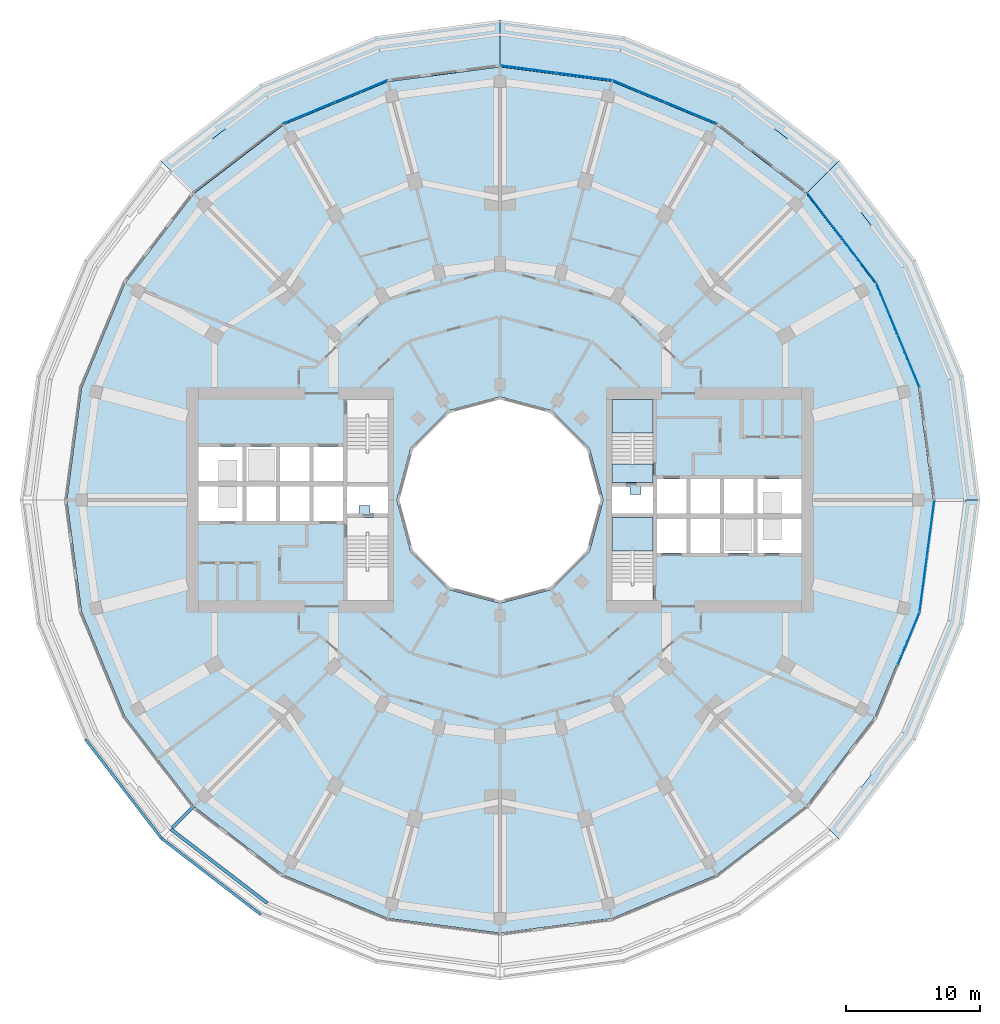
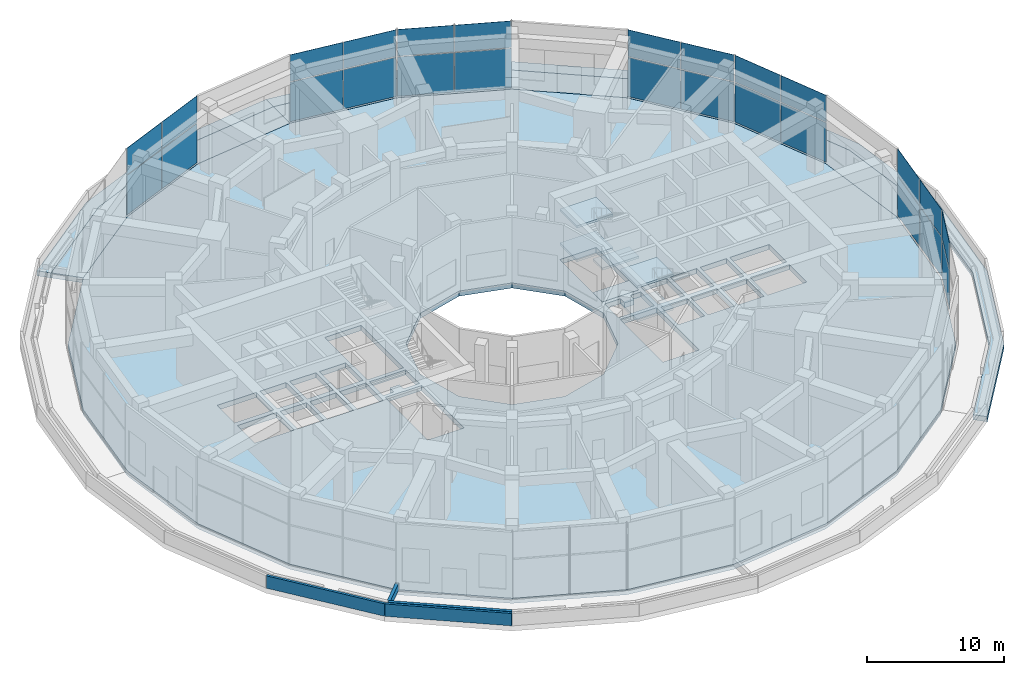
# One storey, part 14 of 23: 26 plates, 14 slabs, 4 walls, 9 elements without a shape of their own.
"""IFC4 building model written with IfcOpenShell, lengths in metres."""

import ifcopenshell
import ifcopenshell.guid

model = None  # the IFC model being written
_history = None  # IfcOwnerHistory: only IFC2X3 demands one
_inside = {}  # id of a spatial element -> (the spatial element, [elements in it])
_under = {}  # id of a project, library or spatial element -> (it, [spatial elements below it])
_declared = {}  # id of a project -> (the project, [libraries it declares])
_typed = {}  # id of a type object -> (the type object, [elements of that type])
_made_of = {}  # id of a material, layer set ... -> (it, [elements and type objects made of it])


def new_model(schema):
    """Start an empty IFC model of exactly this schema.

    Asked for "IFC4X3", IfcOpenShell would pick the latest addendum, in which some entities
    have other attributes; the version numbers below select the first issue.
    IFC2X3 requires an IfcOwnerHistory on every rooted entity: one is made here for all.
    """
    global model, _history
    if schema == "IFC4X3":
        model = ifcopenshell.file(schema_version=(4, 3, 0, 0))
    else:
        model = ifcopenshell.file(schema=schema)
    _inside.clear()
    _under.clear()
    _declared.clear()
    _typed.clear()
    _made_of.clear()
    _history = None
    if model.schema == "IFC2X3":
        org = make("IfcOrganization", Name="unknown")
        user = make(
            "IfcPersonAndOrganization",
            ThePerson=make("IfcPerson", FamilyName="unknown"),
            TheOrganization=org,
        )
        app = make(
            "IfcApplication",
            ApplicationDeveloper=org,
            Version="unknown",
            ApplicationFullName="unknown",
            ApplicationIdentifier="unknown",
        )
        _history = make(
            "IfcOwnerHistory",
            OwningUser=user,
            OwningApplication=app,
            ChangeAction="ADDED",
            CreationDate=0,
        )
    return model


def make(cls, **values):
    """One entity of the class cls with the attributes given. An attribute that is None is left unset."""
    return model.create_entity(
        cls, **{name: value for name, value in values.items() if value is not None}
    )


def rooted(cls, **values):
    """An entity with a GlobalId (a new one), such as an element, a storey or a relation."""
    return make(cls, GlobalId=ifcopenshell.guid.new(), OwnerHistory=_history, **values)


def si_unit(unit_type, name, prefix=None):
    """IfcSIUnit, for example si_unit("LENGTHUNIT", "METRE", prefix="MILLI")."""
    return make("IfcSIUnit", UnitType=unit_type, Prefix=prefix, Name=name)


def assignment(units):
    """IfcUnitAssignment: the units of a project."""
    return None if units is None else make("IfcUnitAssignment", Units=units)


def point(xyz):
    """IfcCartesianPoint."""
    return None if xyz is None else make("IfcCartesianPoint", Coordinates=xyz)


def direction(xyz):
    """IfcDirection."""
    return None if xyz is None else make("IfcDirection", DirectionRatios=xyz)


def frame(location, z_axis=None, x_axis=None):
    """IfcAxis2Placement3D, a coordinate frame: its origin and axes. An axis left out is left unset."""
    return make(
        "IfcAxis2Placement3D",
        Location=point(location),
        Axis=direction(z_axis),
        RefDirection=direction(x_axis),
    )


def frame_2d(location, x_axis=None):
    """IfcAxis2Placement2D, a coordinate frame in the plane: its origin and x axis."""
    return make(
        "IfcAxis2Placement2D", Location=point(location), RefDirection=direction(x_axis)
    )


def origin():
    """The frame at (0, 0, 0) with its axes left unset."""
    return frame((0.0, 0.0, 0.0))


def origin_2d():
    """The frame at (0, 0) in the plane with its x axis left unset."""
    return frame_2d((0.0, 0.0))


def place(relative_to, where):
    """IfcLocalPlacement: puts the frame where relative to a parent placement (None: the world)."""
    return make(
        "IfcLocalPlacement", PlacementRelTo=relative_to, RelativePlacement=where
    )


def context(
    kind, dimensions, precision=None, world=None, true_north=None, identifier=None
):
    """IfcGeometricRepresentationContext, for example the 3D "Model" context."""
    return make(
        "IfcGeometricRepresentationContext",
        ContextIdentifier=identifier,
        ContextType=kind,
        CoordinateSpaceDimension=dimensions,
        Precision=precision,
        WorldCoordinateSystem=world,
        TrueNorth=true_north,
    )


def subcontext(parent, identifier, kind, view, scale=None):
    """IfcGeometricRepresentationSubContext, for example "Body" below "Model"."""
    return make(
        "IfcGeometricRepresentationSubContext",
        ContextIdentifier=identifier,
        ContextType=kind,
        ParentContext=parent,
        TargetScale=scale,
        TargetView=view,
    )


def project(units=None, contexts=None):
    """IfcProject with its units and contexts."""
    return rooted(
        "IfcProject",
        Name="project",
        RepresentationContexts=contexts,
        UnitsInContext=assignment(units),
    )


def spatial(cls, under=None, at=None, **own):
    """A site, building, storey or space (cls), placed at a placement, below another one or the project."""
    s = rooted(cls, ObjectPlacement=at, **own)
    if under is not None:
        _under.setdefault(under.id(), (under, []))[1].append(s)
    return s


def polyline(points):
    """IfcPolyline through the points."""
    return make("IfcPolyline", Points=[point(p) for p in points])


def profile(cls, at=None, kind="AREA", **sizes):
    """A parametric profile (cls). Its sizes go by their IFC names, for example OverallWidth=200.0."""
    return make(cls, ProfileType=kind, Position=at, **sizes)


def rectangle(**sizes):
    """IfcRectangleProfileDef."""
    return profile("IfcRectangleProfileDef", **sizes)


def outline(outer, holes=None, kind="AREA"):
    """IfcArbitraryClosedProfileDef: a profile drawn as a closed curve; with holes, ...WithVoids."""
    if holes is None:
        return make("IfcArbitraryClosedProfileDef", ProfileType=kind, OuterCurve=outer)
    return make(
        "IfcArbitraryProfileDefWithVoids",
        ProfileType=kind,
        OuterCurve=outer,
        InnerCurves=holes,
    )


def extrude(swept, where, along, depth):
    """IfcExtrudedAreaSolid: the profile swept, set in the frame where, extruded along a direction by depth."""
    return make(
        "IfcExtrudedAreaSolid",
        SweptArea=swept,
        Position=where,
        ExtrudedDirection=direction(along),
        Depth=depth,
    )


def shape(context_of_items, identifier, shape_type, items):
    """IfcShapeRepresentation: the items that make up one representation, for example the "Body"."""
    return make(
        "IfcShapeRepresentation",
        ContextOfItems=context_of_items,
        RepresentationIdentifier=identifier,
        RepresentationType=shape_type,
        Items=items,
    )


def material(Name=None, Category=None):
    """IfcMaterial."""
    return make("IfcMaterial", Name=Name, Category=Category)


def layer(
    of_material, thickness, ventilated=None, Name=None, Category=None, Priority=None
):
    """IfcMaterialLayer: one layer of a wall or slab, of a material (None: an air gap)."""
    return make(
        "IfcMaterialLayer",
        Material=of_material,
        LayerThickness=thickness,
        IsVentilated=ventilated,
        Name=Name,
        Category=Category,
        Priority=Priority,
    )


def layer_set(layers, Name=None):
    """IfcMaterialLayerSet."""
    return make("IfcMaterialLayerSet", MaterialLayers=layers, LayerSetName=Name)


def made_of(thing, what):
    """Note that an element or type object is made of a material, layer set ...; save() writes the relation."""
    if what is not None:
        _made_of.setdefault(what.id(), (what, []))[1].append(thing)
    return thing


def type_object(cls, material=None, **own):
    """A type object (cls), such as IfcWallType, which elements share."""
    return made_of(rooted(cls, **own), material)


def element(
    cls,
    number,
    at=None,
    inside=None,
    cuts=None,
    type_object=None,
    material=None,
    context=None,
    identifier="Body",
    shape_type=None,
    held_by="IfcProductDefinitionShape",
    body=None,
    shapes=None,
    **own,
):
    """One element of the class cls, such as IfcWall. Its Tag is "e" and its number.

    at: its placement. inside: the storey or other place that contains it. cuts: it is an
    opening in that element (IfcRelVoidsElement). A single representation is given by context,
    identifier, shape_type and body (its items); several are given by shapes. held_by: the class
    of the entity that holds the representations. save() writes the other relations.
    """
    e = rooted(cls, Tag="e%d" % number, ObjectPlacement=at, **own)
    if body is not None:
        shapes = [shape(context, identifier, shape_type, body)]
    if shapes is not None:
        e.Representation = make(held_by, Representations=shapes)
    if inside is not None:
        _inside.setdefault(inside.id(), (inside, []))[1].append(e)
    if cuts is not None:
        rooted(
            "IfcRelVoidsElement", RelatingBuildingElement=cuts, RelatedOpeningElement=e
        )
    if type_object is not None:
        _typed.setdefault(type_object.id(), (type_object, []))[1].append(e)
    return made_of(e, material)


def aggregate(whole, parts):
    """IfcRelAggregates: a whole, such as a stair, and the parts it consists of."""
    return rooted("IfcRelAggregates", RelatingObject=whole, RelatedObjects=parts)


def save(model, path):
    """Write the relations noted so far, then the file.

    IfcRelAggregates (storeys below a building ...), IfcRelContainedInSpatialStructure (elements
    in a storey), IfcRelDefinesByType, IfcRelAssociatesMaterial and IfcRelDeclares: one each for
    every whole, place, type object, material and project.
    """
    for whole, parts in _under.values():
        aggregate(whole, parts)
    for where, things in _inside.values():
        rooted(
            "IfcRelContainedInSpatialStructure",
            RelatedElements=things,
            RelatingStructure=where,
        )
    for kind, things in _typed.values():
        rooted("IfcRelDefinesByType", RelatedObjects=things, RelatingType=kind)
    for what, things in _made_of.values():
        rooted("IfcRelAssociatesMaterial", RelatedObjects=things, RelatingMaterial=what)
    for by, libraries in _declared.values():
        rooted("IfcRelDeclares", RelatingContext=by, RelatedDefinitions=libraries)
    model.write(path)


model = new_model("IFC4")

# Units and contexts
model_context = context("Model", 3, precision=1e-05, world=origin(), true_north=direction((0.0, 1.0)))
body_context = subcontext(model_context, "Body", "Model", "MODEL_VIEW")
ifc_project = project(units=[si_unit("LENGTHUNIT", "METRE"), si_unit("AREAUNIT", "SQUARE_METRE"), si_unit("VOLUMEUNIT", "CUBIC_METRE"), si_unit("PLANEANGLEUNIT", "RADIAN"), si_unit("MASSUNIT", "GRAM", prefix="KILO")], contexts=[model_context])

# Site, building, storey
site_placement = place(None, origin())
site = spatial("IfcSite", under=ifc_project, at=site_placement, CompositionType="ELEMENT")
building_placement = place(site_placement, origin())
building = spatial("IfcBuilding", under=site, at=building_placement, Name="Torre Brocal", CompositionType="ELEMENT")
storey_placement = place(building_placement, frame((0.0, 0.0, 17.800048828125)))
storey = spatial("IfcBuildingStorey", under=building, at=storey_placement, Name="L03", CompositionType="ELEMENT", Elevation=17.800048828125)

# Curtain wall, plates
ifc_material_1 = material(Name="Aluminium and glass", Category="aluminium")
ifc_layer_1 = layer(ifc_material_1, 0.199951171875)
ifc_layer_set_1 = layer_set([ifc_layer_1], Name="Aluminium and glass")
curtain_wall_type = type_object("IfcCurtainWallType", Name="CW-6 CURTAIN WALL 6000 HIGH", PredefinedType="NOTDEFINED", material=ifc_layer_set_1)
curtain_wall_1_placement = place(storey_placement, origin())
curtain_wall_1 = element("IfcCurtainWall", 1, at=curtain_wall_1_placement, inside=storey, type_object=curtain_wall_type, Name="CW-6 RUN 2", PredefinedType="NOTDEFINED")
ifc_material_2 = material(Name="Glass, dark tinted laminated", Category="glass")
ifc_layer_2 = layer(ifc_material_2, 0.028076171875)
ifc_layer_set_2 = layer_set([ifc_layer_2], Name="Glass, dark tinted laminated")
plate_type = type_object("IfcPlateType", Name="CW-6 GLASS PANEL 28", PredefinedType="CURTAIN_PANEL", material=ifc_layer_set_2)
plate_1_placement = place(storey_placement, frame((110.481201171875, 85.3505859375, 0.06982421875), z_axis=(0.0, 0.0, 1.0), x_axis=(-0.382683432301, 0.923879532538, 0.0)))
plate_1 = element("IfcPlate", 2, at=plate_1_placement, type_object=plate_type, Name="CW6-2 panel 1.1", PredefinedType="CURTAIN_PANEL", context=body_context, shape_type="SweptSolid", body=[
    extrude(rectangle(XDim=4.154052734375, YDim=0.028076171875, at=origin_2d()), origin(), (0.0, 0.0, 1.0), 3.4951171875),
])
plate_2_placement = place(storey_placement, frame((110.481201171875, 85.3505859375, 3.634765625), z_axis=(0.0, 0.0, 1.0), x_axis=(-0.382683432301, 0.923879532538, 0.0)))
plate_2 = element("IfcPlate", 3, at=plate_2_placement, type_object=plate_type, Name="CW6-2 panel 1.2", PredefinedType="CURTAIN_PANEL", context=body_context, shape_type="SweptSolid", body=[
    extrude(rectangle(XDim=4.154052734375, YDim=0.028076171875, at=origin_2d()), origin(), (0.0, 0.0, 1.0), 2.364990234375),
])
plate_3_placement = place(storey_placement, frame((108.872314453125, 89.234619140625, 0.06982421875), z_axis=(0.0, 0.0, 1.0), x_axis=(-0.382683432301, 0.923879532538, 0.0)))
plate_3 = element("IfcPlate", 4, at=plate_3_placement, type_object=plate_type, Name="CW6-2 panel 2.1", PredefinedType="CURTAIN_PANEL", context=body_context, shape_type="SweptSolid", body=[
    extrude(rectangle(XDim=4.154052734375, YDim=0.028076171875, at=origin_2d()), origin(), (0.0, 0.0, 1.0), 3.4951171875),
])
plate_4_placement = place(storey_placement, frame((108.872314453125, 89.234619140625, 3.634765625), z_axis=(0.0, 0.0, 1.0), x_axis=(-0.382683432301, 0.923879532538, 0.0)))
plate_4 = element("IfcPlate", 5, at=plate_4_placement, type_object=plate_type, Name="CW6-2 panel 2.2", PredefinedType="CURTAIN_PANEL", context=body_context, shape_type="SweptSolid", body=[
    extrude(rectangle(XDim=4.154052734375, YDim=0.028076171875, at=origin_2d()), origin(), (0.0, 0.0, 1.0), 2.364990234375),
])
aggregate(curtain_wall_1, [plate_1, plate_2, plate_3, plate_4])

curtain_wall_2_placement = place(storey_placement, origin())
curtain_wall_2 = element("IfcCurtainWall", 6, at=curtain_wall_2_placement, inside=storey, type_object=curtain_wall_type, Name="CW-6 RUN 3", PredefinedType="NOTDEFINED")
plate_5_placement = place(storey_placement, frame((106.763671875, 92.886962890625, 0.06982421875), z_axis=(0.0, 0.0, 1.0), x_axis=(-0.608761429009, 0.793353340291, 0.0)))
plate_5 = element("IfcPlate", 7, at=plate_5_placement, type_object=plate_type, Name="CW6-2 panel 1.1", PredefinedType="CURTAIN_PANEL", context=body_context, shape_type="SweptSolid", body=[
    extrude(rectangle(XDim=4.154052734375, YDim=0.028076171875, at=origin_2d()), origin(), (0.0, 0.0, 1.0), 3.4951171875),
])
plate_6_placement = place(storey_placement, frame((106.763671875, 92.886962890625, 3.634765625), z_axis=(0.0, 0.0, 1.0), x_axis=(-0.608761429009, 0.793353340291, 0.0)))
plate_6 = element("IfcPlate", 8, at=plate_6_placement, type_object=plate_type, Name="CW6-2 panel 1.2", PredefinedType="CURTAIN_PANEL", context=body_context, shape_type="SweptSolid", body=[
    extrude(rectangle(XDim=4.154052734375, YDim=0.028076171875, at=origin_2d()), origin(), (0.0, 0.0, 1.0), 2.364990234375),
])
plate_7_placement = place(storey_placement, frame((104.204345703125, 96.22216796875, 0.06982421875), z_axis=(0.0, 0.0, 1.0), x_axis=(-0.608761429009, 0.793353340291, 0.0)))
plate_7 = element("IfcPlate", 9, at=plate_7_placement, type_object=plate_type, Name="CW6-2 panel 2.1", PredefinedType="CURTAIN_PANEL", context=body_context, shape_type="SweptSolid", body=[
    extrude(rectangle(XDim=4.154052734375, YDim=0.028076171875, at=origin_2d()), origin(), (0.0, 0.0, 1.0), 3.4951171875),
])
plate_8_placement = place(storey_placement, frame((104.204345703125, 96.22216796875, 3.634765625), z_axis=(0.0, 0.0, 1.0), x_axis=(-0.608761429009, 0.793353340291, 0.0)))
plate_8 = element("IfcPlate", 10, at=plate_8_placement, type_object=plate_type, Name="CW6-2 panel 2.2", PredefinedType="CURTAIN_PANEL", context=body_context, shape_type="SweptSolid", body=[
    extrude(rectangle(XDim=4.154052734375, YDim=0.028076171875, at=origin_2d()), origin(), (0.0, 0.0, 1.0), 2.364990234375),
])
aggregate(curtain_wall_2, [plate_5, plate_6, plate_7, plate_8])

curtain_wall_3_placement = place(storey_placement, origin())
curtain_wall_3 = element("IfcCurtainWall", 11, at=curtain_wall_3_placement, inside=storey, type_object=curtain_wall_type, Name="CW-6 RUN 5", PredefinedType="NOTDEFINED")
plate_9_placement = place(storey_placement, frame((94.234619140625, 103.872314453125, 0.06982421875), z_axis=(0.0, 0.0, 1.0), x_axis=(-0.923879532538, 0.382683432301, 0.0)))
plate_9 = element("IfcPlate", 12, at=plate_9_placement, type_object=plate_type, Name="CW6-2 panel 1.1", PredefinedType="CURTAIN_PANEL", context=body_context, shape_type="SweptSolid", body=[
    extrude(rectangle(XDim=4.154052734375, YDim=0.028076171875, at=origin_2d()), origin(), (0.0, 0.0, 1.0), 3.4951171875),
])
plate_10_placement = place(storey_placement, frame((94.234619140625, 103.872314453125, 3.634765625), z_axis=(0.0, 0.0, 1.0), x_axis=(-0.923879532538, 0.382683432301, 0.0)))
plate_10 = element("IfcPlate", 13, at=plate_10_placement, type_object=plate_type, Name="CW6-2 panel 1.2", PredefinedType="CURTAIN_PANEL", context=body_context, shape_type="SweptSolid", body=[
    extrude(rectangle(XDim=4.154052734375, YDim=0.028076171875, at=origin_2d()), origin(), (0.0, 0.0, 1.0), 2.364990234375),
])
plate_11_placement = place(storey_placement, frame((90.3505859375, 105.481201171875, 0.06982421875), z_axis=(0.0, 0.0, 1.0), x_axis=(-0.923879532538, 0.382683432301, 0.0)))
plate_11 = element("IfcPlate", 14, at=plate_11_placement, type_object=plate_type, Name="CW6-2 panel 2.1", PredefinedType="CURTAIN_PANEL", context=body_context, shape_type="SweptSolid", body=[
    extrude(rectangle(XDim=4.154052734375, YDim=0.028076171875, at=origin_2d()), origin(), (0.0, 0.0, 1.0), 3.4951171875),
])
plate_12_placement = place(storey_placement, frame((90.3505859375, 105.481201171875, 3.634765625), z_axis=(0.0, 0.0, 1.0), x_axis=(-0.923879532538, 0.382683432301, 0.0)))
plate_12 = element("IfcPlate", 15, at=plate_12_placement, type_object=plate_type, Name="CW6-2 panel 2.2", PredefinedType="CURTAIN_PANEL", context=body_context, shape_type="SweptSolid", body=[
    extrude(rectangle(XDim=4.154052734375, YDim=0.028076171875, at=origin_2d()), origin(), (0.0, 0.0, 1.0), 2.364990234375),
])
aggregate(curtain_wall_3, [plate_9, plate_10, plate_11, plate_12])

curtain_wall_4_placement = place(storey_placement, origin())
curtain_wall_4 = element("IfcCurtainWall", 16, at=curtain_wall_4_placement, inside=storey, type_object=curtain_wall_type, Name="CW-6 RUN 6", PredefinedType="NOTDEFINED")
plate_13_placement = place(storey_placement, frame((86.27685546875, 106.57275390625, 0.06982421875), z_axis=(0.0, 0.0, 1.0), x_axis=(-0.991444861369, 0.130526192255, 0.0)))
plate_13 = element("IfcPlate", 17, at=plate_13_placement, type_object=plate_type, Name="CW6-2 panel 1.1", PredefinedType="CURTAIN_PANEL", context=body_context, shape_type="SweptSolid", body=[
    extrude(rectangle(XDim=4.154052734375, YDim=0.028076171875, at=origin_2d()), origin(), (0.0, 0.0, 1.0), 3.4951171875),
])
plate_14_placement = place(storey_placement, frame((86.27685546875, 106.57275390625, 3.634765625), z_axis=(0.0, 0.0, 1.0), x_axis=(-0.991444861369, 0.130526192255, 0.0)))
plate_14 = element("IfcPlate", 18, at=plate_14_placement, type_object=plate_type, Name="CW6-2 panel 1.2", PredefinedType="CURTAIN_PANEL", context=body_context, shape_type="SweptSolid", body=[
    extrude(rectangle(XDim=4.154052734375, YDim=0.028076171875, at=origin_2d()), origin(), (0.0, 0.0, 1.0), 2.364990234375),
])
plate_15_placement = place(storey_placement, frame((82.10888671875, 107.12158203125, 0.06982421875), z_axis=(0.0, 0.0, 1.0), x_axis=(-0.991444861369, 0.130526192255, 0.0)))
plate_15 = element("IfcPlate", 19, at=plate_15_placement, type_object=plate_type, Name="CW6-2 panel 2.1", PredefinedType="CURTAIN_PANEL", context=body_context, shape_type="SweptSolid", body=[
    extrude(rectangle(XDim=4.154052734375, YDim=0.028076171875, at=origin_2d()), origin(), (0.0, 0.0, 1.0), 3.4951171875),
])
plate_16_placement = place(storey_placement, frame((82.10888671875, 107.12158203125, 3.634765625), z_axis=(0.0, 0.0, 1.0), x_axis=(-0.991444861369, 0.130526192255, 0.0)))
plate_16 = element("IfcPlate", 20, at=plate_16_placement, type_object=plate_type, Name="CW6-2 panel 2.2", PredefinedType="CURTAIN_PANEL", context=body_context, shape_type="SweptSolid", body=[
    extrude(rectangle(XDim=4.154052734375, YDim=0.028076171875, at=origin_2d()), origin(), (0.0, 0.0, 1.0), 2.364990234375),
])
aggregate(curtain_wall_4, [plate_13, plate_14, plate_15, plate_16])

curtain_wall_5_placement = place(storey_placement, origin())
curtain_wall_5 = element("IfcCurtainWall", 21, at=curtain_wall_5_placement, inside=storey, type_object=curtain_wall_type, Name="CW-6 RUN 8", PredefinedType="NOTDEFINED")
plate_17_placement = place(storey_placement, frame((69.6494140625, 105.481201171875, 0.06982421875), z_axis=(0.0, 0.0, 1.0), x_axis=(-0.923879532538, -0.382683432301, 0.0)))
plate_17 = element("IfcPlate", 22, at=plate_17_placement, type_object=plate_type, Name="CW6-2 panel 1.1", PredefinedType="CURTAIN_PANEL", context=body_context, shape_type="SweptSolid", body=[
    extrude(rectangle(XDim=4.154052734375, YDim=0.028076171875, at=origin_2d()), origin(), (0.0, 0.0, 1.0), 3.4951171875),
])
plate_18_placement = place(storey_placement, frame((69.6494140625, 105.481201171875, 3.634765625), z_axis=(0.0, 0.0, 1.0), x_axis=(-0.923879532538, -0.382683432301, 0.0)))
plate_18 = element("IfcPlate", 23, at=plate_18_placement, type_object=plate_type, Name="CW6-2 panel 1.2", PredefinedType="CURTAIN_PANEL", context=body_context, shape_type="SweptSolid", body=[
    extrude(rectangle(XDim=4.154052734375, YDim=0.028076171875, at=origin_2d()), origin(), (0.0, 0.0, 1.0), 2.364990234375),
])
plate_19_placement = place(storey_placement, frame((65.765380859375, 103.872314453125, 0.06982421875), z_axis=(0.0, 0.0, 1.0), x_axis=(-0.923879532538, -0.382683432301, 0.0)))
plate_19 = element("IfcPlate", 24, at=plate_19_placement, type_object=plate_type, Name="CW6-2 panel 2.1", PredefinedType="CURTAIN_PANEL", context=body_context, shape_type="SweptSolid", body=[
    extrude(rectangle(XDim=4.154052734375, YDim=0.028076171875, at=origin_2d()), origin(), (0.0, 0.0, 1.0), 3.4951171875),
])
plate_20_placement = place(storey_placement, frame((65.765380859375, 103.872314453125, 3.634765625), z_axis=(0.0, 0.0, 1.0), x_axis=(-0.923879532538, -0.382683432301, 0.0)))
plate_20 = element("IfcPlate", 25, at=plate_20_placement, type_object=plate_type, Name="CW6-2 panel 2.2", PredefinedType="CURTAIN_PANEL", context=body_context, shape_type="SweptSolid", body=[
    extrude(rectangle(XDim=4.154052734375, YDim=0.028076171875, at=origin_2d()), origin(), (0.0, 0.0, 1.0), 2.364990234375),
])
aggregate(curtain_wall_5, [plate_17, plate_18, plate_19, plate_20])

curtain_wall_6_placement = place(storey_placement, origin())
curtain_wall_6 = element("IfcCurtainWall", 26, at=curtain_wall_6_placement, inside=storey, type_object=curtain_wall_type, Name="CW-6 RUN 23", PredefinedType="NOTDEFINED")
plate_21_placement = place(storey_placement, frame((110.481201171875, 64.6494140625, 0.06982421875), z_axis=(0.0, 0.0, 1.0), x_axis=(0.382683432301, 0.923879532538, 0.0)))
plate_21 = element("IfcPlate", 27, at=plate_21_placement, type_object=plate_type, Name="CW6-2 panel 2.1", PredefinedType="CURTAIN_PANEL", context=body_context, shape_type="SweptSolid", body=[
    extrude(rectangle(XDim=4.154052734375, YDim=0.028076171875, at=origin_2d()), origin(), (0.0, 0.0, 1.0), 3.4951171875),
])
plate_22_placement = place(storey_placement, frame((110.481201171875, 64.6494140625, 3.634765625), z_axis=(0.0, 0.0, 1.0), x_axis=(0.382683432301, 0.923879532538, 0.0)))
plate_22 = element("IfcPlate", 28, at=plate_22_placement, type_object=plate_type, Name="CW6-2 panel 2.2", PredefinedType="CURTAIN_PANEL", context=body_context, shape_type="SweptSolid", body=[
    extrude(rectangle(XDim=4.154052734375, YDim=0.028076171875, at=origin_2d()), origin(), (0.0, 0.0, 1.0), 2.364990234375),
])
aggregate(curtain_wall_6, [plate_21, plate_22])

curtain_wall_7_placement = place(storey_placement, origin())
curtain_wall_7 = element("IfcCurtainWall", 29, at=curtain_wall_7_placement, inside=storey, type_object=curtain_wall_type, Name="CW-6 RUN 24", PredefinedType="NOTDEFINED")
plate_23_placement = place(storey_placement, frame((111.57275390625, 68.72314453125, 0.06982421875), z_axis=(0.0, 0.0, 1.0), x_axis=(0.130526192255, 0.991444861369, 0.0)))
plate_23 = element("IfcPlate", 30, at=plate_23_placement, type_object=plate_type, Name="CW6-2 panel 1.1", PredefinedType="CURTAIN_PANEL", context=body_context, shape_type="SweptSolid", body=[
    extrude(rectangle(XDim=4.154052734375, YDim=0.028076171875, at=origin_2d()), origin(), (0.0, 0.0, 1.0), 3.4951171875),
])
plate_24_placement = place(storey_placement, frame((111.57275390625, 68.72314453125, 3.634765625), z_axis=(0.0, 0.0, 1.0), x_axis=(0.130526192255, 0.991444861369, 0.0)))
plate_24 = element("IfcPlate", 31, at=plate_24_placement, type_object=plate_type, Name="CW6-2 panel 1.2", PredefinedType="CURTAIN_PANEL", context=body_context, shape_type="SweptSolid", body=[
    extrude(rectangle(XDim=4.154052734375, YDim=0.028076171875, at=origin_2d()), origin(), (0.0, 0.0, 1.0), 2.364990234375),
])
plate_25_placement = place(storey_placement, frame((112.12158203125, 72.89111328125, 0.06982421875), z_axis=(0.0, 0.0, 1.0), x_axis=(0.130526192255, 0.991444861369, 0.0)))
plate_25 = element("IfcPlate", 32, at=plate_25_placement, type_object=plate_type, Name="CW6-2 panel 2.1", PredefinedType="CURTAIN_PANEL", context=body_context, shape_type="SweptSolid", body=[
    extrude(rectangle(XDim=4.154052734375, YDim=0.028076171875, at=origin_2d()), origin(), (0.0, 0.0, 1.0), 3.4951171875),
])
plate_26_placement = place(storey_placement, frame((112.12158203125, 72.89111328125, 3.634765625), z_axis=(0.0, 0.0, 1.0), x_axis=(0.130526192255, 0.991444861369, 0.0)))
plate_26 = element("IfcPlate", 33, at=plate_26_placement, type_object=plate_type, Name="CW6-2 panel 2.2", PredefinedType="CURTAIN_PANEL", context=body_context, shape_type="SweptSolid", body=[
    extrude(rectangle(XDim=4.154052734375, YDim=0.028076171875, at=origin_2d()), origin(), (0.0, 0.0, 1.0), 2.364990234375),
])
aggregate(curtain_wall_7, [plate_23, plate_24, plate_25, plate_26])

# Stair, slab
ifc_material_3 = material(Name="Concrete C50", Category="concrete")
stair_type = type_object("IfcStairType", Name="EXIT STAIR", PredefinedType="HALF_TURN_STAIR", material=ifc_material_3)
stair_1_placement = place(storey_placement, origin())
stair_1 = element("IfcStair", 34, at=stair_1_placement, inside=storey, type_object=stair_type, Name="EXIT STAIR ST1", PredefinedType="HALF_TURN_STAIR")
ifc_material_4 = material(Name="Concrete C50", Category="concrete")
ifc_layer_3 = layer(ifc_material_4, 0.449951171875)
ifc_layer_set_3 = layer_set([ifc_layer_3], Name="Concrete C50")
slab_type_1 = type_object("IfcSlabType", Name="FLOOR LANDING 450", PredefinedType="LANDING", material=ifc_layer_set_3)
slab_1_placement = place(storey_placement, frame((0.0, 0.0, -0.449951171875)))
slab_1 = element("IfcSlab", 35, at=slab_1_placement, type_object=slab_type_1, Name="ST1 landing 1", PredefinedType="LANDING", context=body_context, shape_type="SweptSolid", body=[
    extrude(outline(polyline([(88.35009765625, 76.300048828125), (91.39990234375, 76.300048828125), (91.39990234375, 77.699951171875), (88.35009765625, 77.699951171875), (88.35009765625, 76.300048828125)])), origin(), (0.0, 0.0, 1.0), 0.449951171875),
])

# Slabs
ifc_material_5 = material(Name="Concrete C45", Category="concrete")
ifc_layer_4 = layer(ifc_material_5, 0.449951171875)
ifc_layer_set_4 = layer_set([ifc_layer_4], Name="Concrete C45")
slab_type_2 = type_object("IfcSlabType", Name="GREEN ROOF PLANTING BED SLAB 450 C45", PredefinedType="ROOF", material=ifc_layer_set_4)
slab_2_placement = place(storey_placement, frame((0.0, 0.0, -0.449951171875)))
element("IfcSlab", 36, at=slab_2_placement, inside=storey, type_object=slab_type_2, Name="Slab ST-04", PredefinedType="ROOF", context=body_context, shape_type="SweptSolid", body=[
    extrude(outline(polyline([(115.79833984375, 75.0), (114.718994140625, 75.0), (113.535888671875, 83.98583984375), (110.067626953125, 92.359375), (104.550048828125, 99.550048828125), (105.313232421875, 100.313232421875), (111.002197265625, 92.899169921875), (114.578369140625, 84.265380859375), (115.79833984375, 75.0)])), origin(), (0.0, 0.0, 1.0), 0.449951171875),
])
slab_3_placement = place(storey_placement, frame((0.0, 0.0, -0.449951171875)))
element("IfcSlab", 37, at=slab_3_placement, inside=storey, type_object=slab_type_2, Name="Slab ST-04", PredefinedType="ROOF", context=body_context, shape_type="SweptSolid", body=[
    extrude(outline(polyline([(105.313232421875, 100.313232421875), (104.550048828125, 99.550048828125), (97.359375, 105.067626953125), (88.98583984375, 108.535888671875), (80.0, 109.718994140625), (80.0, 110.79833984375), (89.265380859375, 109.578369140625), (97.899169921875, 106.002197265625), (105.313232421875, 100.313232421875)])), origin(), (0.0, 0.0, 1.0), 0.449951171875),
])
slab_4_placement = place(storey_placement, frame((0.0, 0.0, -0.449951171875)))
element("IfcSlab", 38, at=slab_4_placement, inside=storey, type_object=slab_type_2, Name="Slab ST-04", PredefinedType="ROOF", context=body_context, shape_type="SweptSolid", body=[
    extrude(outline(polyline([(80.0, 110.79833984375), (80.0, 109.718994140625), (71.01416015625, 108.535888671875), (62.640625, 105.067626953125), (55.449951171875, 99.550048828125), (54.686767578125, 100.313232421875), (62.100830078125, 106.002197265625), (70.734619140625, 109.578369140625), (80.0, 110.79833984375)])), origin(), (0.0, 0.0, 1.0), 0.449951171875),
])
slab_5_placement = place(storey_placement, frame((0.0, 0.0, -0.449951171875)))
element("IfcSlab", 39, at=slab_5_placement, inside=storey, type_object=slab_type_2, Name="Slab ST-04", PredefinedType="ROOF", context=body_context, shape_type="SweptSolid", body=[
    extrude(outline(polyline([(110.067626953125, 57.640625), (113.535888671875, 66.01416015625), (114.718994140625, 75.0), (115.79833984375, 75.0), (114.578369140625, 65.734619140625), (111.002197265625, 57.100830078125), (105.313232421875, 49.686767578125), (104.550048828125, 50.449951171875), (110.067626953125, 57.640625)])), origin(), (0.0, 0.0, 1.0), 0.449951171875),
])

# Slab
ifc_material_6 = material(Name="Concrete C50", Category="concrete")
ifc_layer_5 = layer(ifc_material_6, 0.199951171875)
ifc_layer_set_5 = layer_set([ifc_layer_5], Name="Concrete C50")
slab_type_3 = type_object("IfcSlabType", Name="MID LANDING +1500", PredefinedType="LANDING", material=ifc_layer_set_5)
slab_6_placement = place(storey_placement, frame((0.0, 0.0, 1.300048828125)))
slab_6 = element("IfcSlab", 40, at=slab_6_placement, type_object=slab_type_3, Name="ST1 landing 2", PredefinedType="LANDING", context=body_context, shape_type="SweptSolid", body=[
    extrude(outline(polyline([(88.35009765625, 80.011962890625), (91.39990234375, 80.011962890625), (91.39990234375, 82.5), (88.35009765625, 82.5), (88.35009765625, 80.011962890625)])), origin(), (0.0, 0.0, 1.0), 0.199951171875),
])

# Stair, slab
stair_2_placement = place(storey_placement, origin())
stair_2 = element("IfcStair", 41, at=stair_2_placement, inside=storey, type_object=stair_type, Name="EXIT STAIR ST2", PredefinedType="HALF_TURN_STAIR")
slab_7_placement = place(storey_placement, frame((0.0, 0.0, 1.300048828125)))
slab_7 = element("IfcSlab", 42, at=slab_7_placement, type_object=slab_type_3, Name="ST2 landing 2", PredefinedType="LANDING", context=body_context, shape_type="SweptSolid", body=[
    extrude(outline(polyline([(88.35009765625, 71.2119140625), (91.39990234375, 71.2119140625), (91.39990234375, 73.699951171875), (88.35009765625, 73.699951171875), (88.35009765625, 71.2119140625)])), origin(), (0.0, 0.0, 1.0), 0.199951171875),
])

# Slab
ifc_material_7 = material(Name="Concrete C50", Category="concrete")
ifc_layer_6 = layer(ifc_material_7, 0.199951171875)
ifc_layer_set_6 = layer_set([ifc_layer_6], Name="Concrete C50")
slab_type_4 = type_object("IfcSlabType", Name="MID LANDING +3000", PredefinedType="LANDING", material=ifc_layer_set_6)
slab_8_placement = place(storey_placement, frame((0.0, 0.0, 2.800048828125)))
slab_8 = element("IfcSlab", 43, at=slab_8_placement, type_object=slab_type_4, Name="ST1 landing 3", PredefinedType="LANDING", context=body_context, shape_type="SweptSolid", body=[
    extrude(outline(polyline([(88.35009765625, 76.300048828125), (91.39990234375, 76.300048828125), (91.39990234375, 77.699951171875), (88.35009765625, 77.699951171875), (88.35009765625, 76.300048828125)])), origin(), (0.0, 0.0, 1.0), 0.199951171875),
])

ifc_material_8 = material(Name="Concrete C50", Category="concrete")
ifc_layer_7 = layer(ifc_material_8, 0.199951171875)
ifc_layer_set_7 = layer_set([ifc_layer_7], Name="Concrete C50")
slab_type_5 = type_object("IfcSlabType", Name="MID LANDING +4500", PredefinedType="LANDING", material=ifc_layer_set_7)
slab_9_placement = place(storey_placement, frame((0.0, 0.0, 4.300048828125)))
slab_9 = element("IfcSlab", 44, at=slab_9_placement, type_object=slab_type_5, Name="ST1 landing 4", PredefinedType="LANDING", context=body_context, shape_type="SweptSolid", body=[
    extrude(outline(polyline([(88.35009765625, 80.011962890625), (91.39990234375, 80.011962890625), (91.39990234375, 82.5), (88.35009765625, 82.5), (88.35009765625, 80.011962890625)])), origin(), (0.0, 0.0, 1.0), 0.199951171875),
])

aggregate(stair_1, [slab_1, slab_6, slab_8, slab_9])

slab_10_placement = place(storey_placement, frame((0.0, 0.0, 4.300048828125)))
slab_10 = element("IfcSlab", 45, at=slab_10_placement, type_object=slab_type_5, Name="ST2 landing 4", PredefinedType="LANDING", context=body_context, shape_type="SweptSolid", body=[
    extrude(outline(polyline([(88.35009765625, 71.2119140625), (91.39990234375, 71.2119140625), (91.39990234375, 73.699951171875), (88.35009765625, 73.699951171875), (88.35009765625, 71.2119140625)])), origin(), (0.0, 0.0, 1.0), 0.199951171875),
])

aggregate(stair_2, [slab_7, slab_10])

# Slabs
ifc_material_9 = material(Name="Concrete C45", Category="concrete")
ifc_layer_8 = layer(ifc_material_9, 0.449951171875)
ifc_layer_set_8 = layer_set([ifc_layer_8], Name="Concrete C45")
slab_type_6 = type_object("IfcSlabType", Name="PT PODIUM SLAB 450 C45", PredefinedType="FLOOR", material=ifc_layer_set_8)
slab_11_placement = place(storey_placement, frame((0.0, 0.0, -0.449951171875)))
element("IfcSlab", 46, at=slab_11_placement, inside=storey, type_object=slab_type_6, Name="Slab ST-01", PredefinedType="FLOOR", context=body_context, shape_type="SweptSolid", body=[
    extrude(outline(polyline([(102.83837890625, 52.16162109375), (96.149169921875, 47.02880859375), (88.359375, 43.80224609375), (80.0, 42.70166015625), (71.640625, 43.80224609375), (63.850830078125, 47.02880859375), (57.16162109375, 52.16162109375), (52.02880859375, 58.850830078125), (48.80224609375, 66.640625), (47.70166015625, 75.0), (48.80224609375, 83.359375), (52.02880859375, 91.149169921875), (57.16162109375, 97.83837890625), (63.850830078125, 102.97119140625), (71.640625, 106.19775390625), (80.0, 107.29833984375), (88.359375, 106.19775390625), (96.149169921875, 102.97119140625), (102.83837890625, 97.83837890625), (107.97119140625, 91.149169921875), (111.19775390625, 83.359375), (112.29833984375, 75.0), (111.19775390625, 66.640625), (107.97119140625, 58.850830078125), (102.83837890625, 52.16162109375)]), holes=[polyline([(102.5, 74.0), (102.5, 76.550048828125), (99.199951171875, 76.550048828125), (99.199951171875, 74.0), (102.5, 74.0)]), polyline([(102.5, 71.050048828125), (102.5, 73.60009765625), (99.199951171875, 73.60009765625), (99.199951171875, 71.050048828125), (102.5, 71.050048828125)]), polyline([(98.89990234375, 76.550048828125), (96.699951171875, 76.550048828125), (96.699951171875, 74.0), (98.89990234375, 74.0), (98.89990234375, 76.550048828125)]), polyline([(98.89990234375, 71.050048828125), (98.89990234375, 73.60009765625), (96.699951171875, 73.60009765625), (96.699951171875, 71.050048828125), (98.89990234375, 71.050048828125)]), polyline([(96.39990234375, 73.60009765625), (94.199951171875, 73.60009765625), (94.199951171875, 71.050048828125), (96.39990234375, 71.050048828125), (96.39990234375, 73.60009765625)]), polyline([(96.39990234375, 74.0), (96.39990234375, 76.550048828125), (94.199951171875, 76.550048828125), (94.199951171875, 74.0), (96.39990234375, 74.0)]), polyline([(93.89990234375, 73.60009765625), (91.699951171875, 73.60009765625), (91.699951171875, 71.050048828125), (93.89990234375, 71.050048828125), (93.89990234375, 73.60009765625)]), polyline([(93.89990234375, 74.0), (93.89990234375, 76.550048828125), (91.699951171875, 76.550048828125), (91.699951171875, 74.0), (93.89990234375, 74.0)]), polyline([(91.39990234375, 76.300048828125), (91.39990234375, 82.5), (88.35009765625, 82.5), (88.35009765625, 76.300048828125), (91.39990234375, 76.300048828125)]), polyline([(91.39990234375, 73.699951171875), (88.35009765625, 73.699951171875), (88.35009765625, 67.5), (91.39990234375, 67.5), (91.39990234375, 73.699951171875)]), polyline([(89.699951171875, 76.0), (88.35009765625, 76.0), (88.35009765625, 74.0), (91.39990234375, 74.0), (91.39990234375, 76.0), (90.5, 76.0), (90.5, 75.39990234375), (89.699951171875, 75.39990234375), (89.699951171875, 76.0)]), polyline([(80.0, 82.70703125), (76.146484375, 81.674560546875), (73.325439453125, 78.853515625), (72.29296875, 75.0), (73.325439453125, 71.146484375), (76.146484375, 68.325439453125), (80.0, 67.29296875), (83.853515625, 68.325439453125), (86.674560546875, 71.146484375), (87.70703125, 75.0), (86.674560546875, 78.853515625), (83.853515625, 81.674560546875), (80.0, 82.70703125)]), polyline([(68.60009765625, 82.5), (68.60009765625, 76.300048828125), (71.64990234375, 76.300048828125), (71.64990234375, 82.5), (68.60009765625, 82.5)]), polyline([(70.300048828125, 74.0), (71.64990234375, 74.0), (71.64990234375, 76.0), (68.60009765625, 76.0), (68.60009765625, 74.0), (69.5, 74.0), (69.5, 74.60009765625), (70.300048828125, 74.60009765625), (70.300048828125, 74.0)]), polyline([(68.60009765625, 67.5), (71.64990234375, 67.5), (71.64990234375, 73.699951171875), (68.60009765625, 73.699951171875), (68.60009765625, 67.5)]), polyline([(66.10009765625, 78.949951171875), (66.10009765625, 76.39990234375), (68.300048828125, 76.39990234375), (68.300048828125, 78.949951171875), (66.10009765625, 78.949951171875)]), polyline([(66.10009765625, 76.0), (66.10009765625, 73.449951171875), (68.300048828125, 73.449951171875), (68.300048828125, 76.0), (66.10009765625, 76.0)]), polyline([(63.60009765625, 76.0), (63.60009765625, 73.449951171875), (65.800048828125, 73.449951171875), (65.800048828125, 76.0), (63.60009765625, 76.0)]), polyline([(63.60009765625, 76.39990234375), (65.800048828125, 76.39990234375), (65.800048828125, 78.949951171875), (63.60009765625, 78.949951171875), (63.60009765625, 76.39990234375)]), polyline([(61.10009765625, 78.949951171875), (61.10009765625, 76.39990234375), (63.300048828125, 76.39990234375), (63.300048828125, 78.949951171875), (61.10009765625, 78.949951171875)]), polyline([(61.10009765625, 73.449951171875), (63.300048828125, 73.449951171875), (63.300048828125, 76.0), (61.10009765625, 76.0), (61.10009765625, 73.449951171875)]), polyline([(57.5, 73.449951171875), (60.800048828125, 73.449951171875), (60.800048828125, 76.0), (57.5, 76.0), (57.5, 73.449951171875)]), polyline([(57.5, 78.949951171875), (57.5, 76.39990234375), (60.800048828125, 76.39990234375), (60.800048828125, 78.949951171875), (57.5, 78.949951171875)])]), origin(), (0.0, 0.0, 1.0), 0.449951171875),
])
ifc_material_10 = material(Name="Concrete C45", Category="concrete")
ifc_layer_9 = layer(ifc_material_10, 0.449951171875)
ifc_layer_set_9 = layer_set([ifc_layer_9], Name="Concrete C45")
slab_type_7 = type_object("IfcSlabType", Name="PT TERRACE SLAB 450 C45", PredefinedType="ROOF", material=ifc_layer_set_9)
slab_12_placement = place(storey_placement, frame((0.0, 0.0, -0.449951171875)))
element("IfcSlab", 47, at=slab_12_placement, inside=storey, type_object=slab_type_7, Name="Slab ST-03", PredefinedType="ROOF", context=body_context, shape_type="SweptSolid", body=[
    extrude(outline(polyline([(111.19775390625, 83.359375), (107.97119140625, 91.149169921875), (102.83837890625, 97.83837890625), (104.550048828125, 99.550048828125), (110.067626953125, 92.359375), (113.535888671875, 83.98583984375), (114.718994140625, 75.0), (112.29833984375, 75.0), (111.19775390625, 83.359375)])), origin(), (0.0, 0.0, 1.0), 0.449951171875),
])
slab_13_placement = place(storey_placement, frame((0.0, 0.0, -0.449951171875)))
element("IfcSlab", 48, at=slab_13_placement, inside=storey, type_object=slab_type_7, Name="Slab ST-03", PredefinedType="ROOF", context=body_context, shape_type="SweptSolid", body=[
    extrude(outline(polyline([(96.149169921875, 102.97119140625), (88.359375, 106.19775390625), (80.0, 107.29833984375), (80.0, 109.718994140625), (88.98583984375, 108.535888671875), (97.359375, 105.067626953125), (104.550048828125, 99.550048828125), (102.83837890625, 97.83837890625), (96.149169921875, 102.97119140625)])), origin(), (0.0, 0.0, 1.0), 0.449951171875),
])
slab_14_placement = place(storey_placement, frame((0.0, 0.0, -0.449951171875)))
element("IfcSlab", 49, at=slab_14_placement, inside=storey, type_object=slab_type_7, Name="Slab ST-03", PredefinedType="ROOF", context=body_context, shape_type="SweptSolid", body=[
    extrude(outline(polyline([(71.640625, 106.19775390625), (63.850830078125, 102.97119140625), (57.16162109375, 97.83837890625), (55.449951171875, 99.550048828125), (62.640625, 105.067626953125), (71.01416015625, 108.535888671875), (80.0, 109.718994140625), (80.0, 107.29833984375), (71.640625, 106.19775390625)])), origin(), (0.0, 0.0, 1.0), 0.449951171875),
])

# Walls
ifc_material_11 = material(Name="Concrete C40", Category="concrete")
ifc_layer_10 = layer(ifc_material_11, 0.199951171875)
ifc_layer_set_10 = layer_set([ifc_layer_10], Name="Concrete C40")
wall_type_1 = type_object("IfcWallType", Name="PARAPET WALL 200 THICK 1100 HIGH 2", PredefinedType="PARAPET", material=ifc_layer_set_10)
for number, where, z_axis, x_axis, name in (
    (50, (62.140869140625, 44.09326171875, 0.0), (0.0, 0.0, 1.0), (-0.793365687122, 0.608745337968, 0.0), "PARAPET WALL 9"),
    (51, (54.75, 49.7685546875, 0.0), (0.0, 0.0, 1.0), (-0.608745337968, 0.793365687122, 0.0), "PARAPET WALL 10"),
):
    element("IfcWall", number, at=place(storey_placement, frame(where, z_axis=z_axis, x_axis=x_axis)), inside=storey, type_object=wall_type_1, Name=name, PredefinedType="PARAPET", context=body_context, shape_type="SweptSolid", body=[
        extrude(rectangle(XDim=9.29248046875, YDim=0.199951171875, at=frame_2d((4.646240234375, 0.0))), origin(), (0.0, 0.0, 1.0), 1.099853515625),
    ])
ifc_material_12 = material(Name="Concrete C35", Category="concrete")
ifc_layer_11 = layer(ifc_material_12, 0.25)
ifc_layer_set_11 = layer_set([ifc_layer_11], Name="Concrete C35")
wall_type_2 = type_object("IfcWallType", Name="PLANTER WALL 250 THICK 600 HIGH 2", PredefinedType="USERDEFINED", material=ifc_layer_set_11)
wall_1_placement = place(storey_placement, frame((62.62744140625, 44.9423828125, 0.0), z_axis=(0.0, 0.0, 1.0), x_axis=(-0.793339359792, 0.608779648317, 0.0)))
element("IfcWall", 52, at=wall_1_placement, inside=storey, type_object=wall_type_2, Name="PLANTER", ObjectType="PLANTER", PredefinedType="USERDEFINED", context=body_context, shape_type="SweptSolid", body=[
    extrude(rectangle(XDim=9.038818359375, YDim=0.25, at=frame_2d((4.51953125, 0.0))), origin(), (0.0, 0.0, 1.0), 0.599853515625),
])
wall_2_placement = place(storey_placement, frame((55.538330078125, 50.538330078125, 0.0), z_axis=(0.0, 0.0, 1.0), x_axis=(0.707106781187, 0.707106781187, 0.0)))
element("IfcWall", 53, at=wall_2_placement, inside=storey, type_object=wall_type_2, Name="PLANTER", ObjectType="PLANTER", PredefinedType="USERDEFINED", context=body_context, shape_type="SweptSolid", body=[
    extrude(rectangle(XDim=2.295654296875, YDim=0.25, at=frame_2d((1.14794921875, 0.0))), origin(), (0.0, 0.0, 1.0), 0.599853515625),
])

save(model, "model.ifc")
